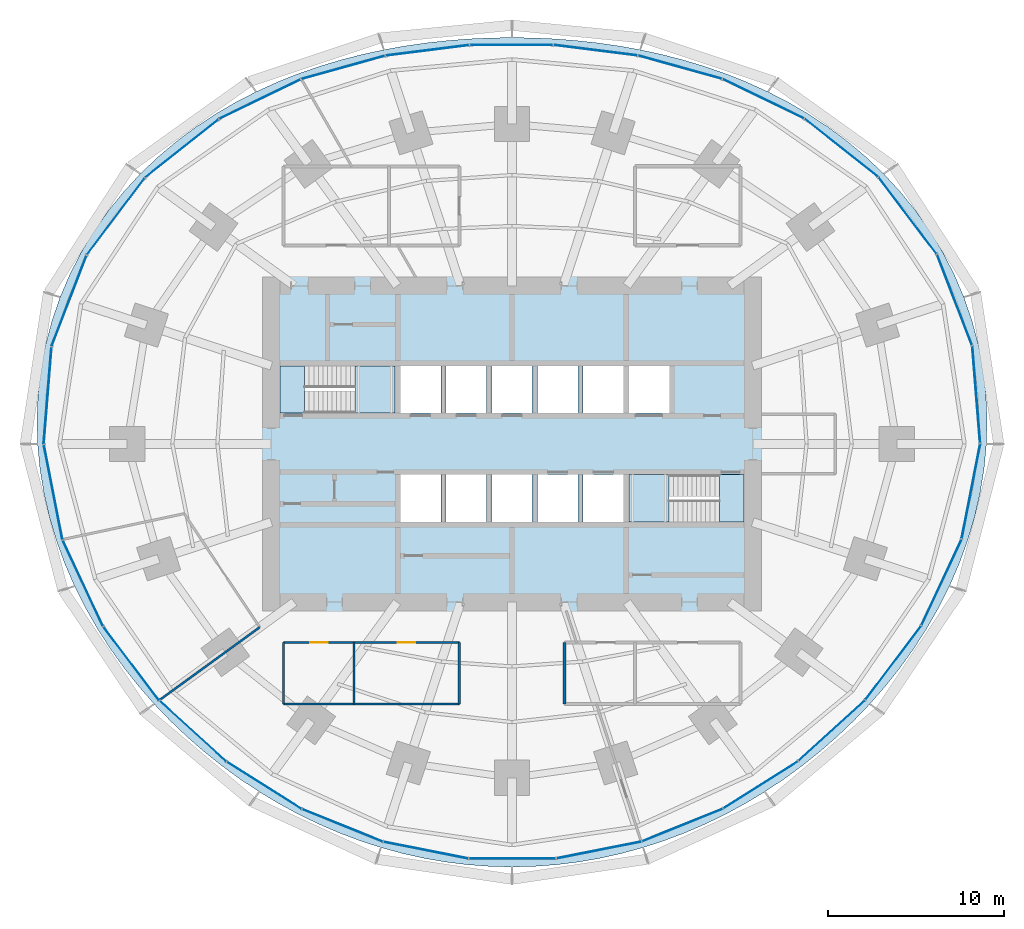
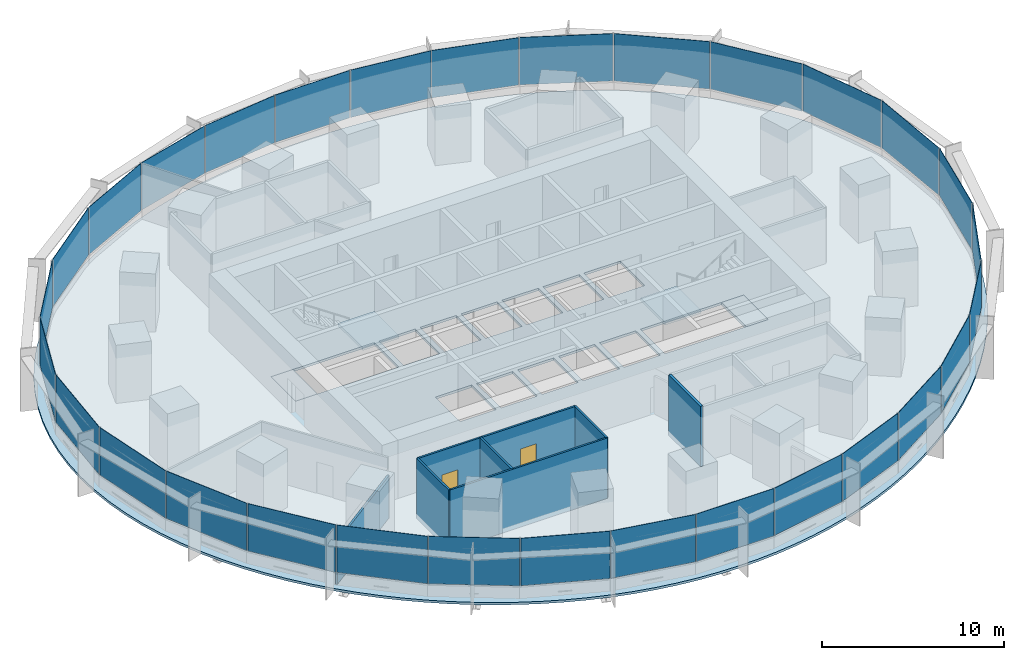
# One storey, part 10 of 15: 30 plates, 7 walls, 5 slabs, 2 doors, 2 openings, 8 elements without a shape of their own.
"""IFC4 building model written with IfcOpenShell, lengths in metres."""

from ifc_helpers import new_model, si_unit, direction, frame, frame_2d, origin, origin_2d, place, context, subcontext, project, spatial, polyline, rectangle, outline, extrude, material, layer, layer_set, type_object, element, fill, aggregate, save


model = new_model("IFC4")

# Units and contexts
model_context = context("Model", 3, precision=1e-05, world=origin(), true_north=direction((0.0, 1.0)))
body_context = subcontext(model_context, "Body", "Model", "MODEL_VIEW")
ifc_project = project(units=[si_unit("LENGTHUNIT", "METRE"), si_unit("AREAUNIT", "SQUARE_METRE"), si_unit("VOLUMEUNIT", "CUBIC_METRE"), si_unit("PLANEANGLEUNIT", "RADIAN"), si_unit("MASSUNIT", "GRAM", prefix="KILO")], contexts=[model_context])

# Site, building, storey
site_placement = place(None, origin())
site = spatial("IfcSite", under=ifc_project, at=site_placement, CompositionType="ELEMENT")
building_placement = place(site_placement, origin())
building = spatial("IfcBuilding", under=site, at=building_placement, Name="Marramba Exchange Tower", CompositionType="ELEMENT")
storey_placement = place(building_placement, frame((0.0, 0.0, 28.0)))
storey = spatial("IfcBuildingStorey", under=building, at=storey_placement, Name="L06", CompositionType="ELEMENT", Elevation=28.0)

# Slab
ifc_material_1 = material(Name="Concrete N40", Category="concrete")
ifc_layer_1 = layer(ifc_material_1, 0.159912109375)
ifc_layer_set_1 = layer_set([ifc_layer_1], Name="Composite floor slab 160")
slab_type_1 = type_object("IfcSlabType", Name="Composite floor slab 160", PredefinedType="FLOOR", material=ifc_layer_set_1)
slab_1_placement = place(storey_placement, frame((0.0, 0.0, -0.159912109375)))
element("IfcSlab", 1, at=slab_1_placement, inside=storey, type_object=slab_type_1, Name="Floor slab L06", PredefinedType="FLOOR", context=body_context, shape_type="SweptSolid", body=[
    extrude(outline(polyline([(27.0, 0.0), (27.035888671875, 1.4169921875), (26.97265625, 2.8349609375), (26.80859375, 4.24609375), (26.5439453125, 5.64208984375), (26.179443359375, 7.0146484375), (25.717529296875, 8.356201171875), (25.16162109375, 9.65869140625), (24.516357421875, 10.915283203125), (23.786865234375, 12.1201171875), (22.9794921875, 13.267333984375), (22.10107421875, 14.3525390625), (21.158447265625, 15.37255859375), (20.159423828125, 16.32470703125), (19.11083984375, 17.20751953125), (18.020263671875, 18.020263671875), (16.89453125, 18.763427734375), (15.740478515625, 19.437744140625), (14.563720703125, 20.04541015625), (13.3701171875, 20.588134765625), (12.164306640625, 21.069091796875), (10.9501953125, 21.4912109375), (9.7314453125, 21.857421875), (8.5107421875, 22.1708984375), (7.289794921875, 22.435302734375), (6.06982421875, 22.6533203125), (4.85205078125, 22.827392578125), (3.636474609375, 22.96044921875), (2.423095703125, 23.053955078125), (1.211181640625, 23.109619140625), (0.0, 23.1279296875), (-1.211181640625, 23.109619140625), (-2.423095703125, 23.053955078125), (-3.636474609375, 22.96044921875), (-4.85205078125, 22.827392578125), (-6.06982421875, 22.6533203125), (-7.289794921875, 22.435302734375), (-8.5107421875, 22.1708984375), (-9.7314453125, 21.857421875), (-10.9501953125, 21.4912109375), (-12.164306640625, 21.069091796875), (-13.3701171875, 20.588134765625), (-14.563720703125, 20.04541015625), (-15.740478515625, 19.437744140625), (-16.89453125, 18.763427734375), (-18.020263671875, 18.020263671875), (-19.11083984375, 17.20751953125), (-20.159423828125, 16.32470703125), (-21.158447265625, 15.37255859375), (-22.10107421875, 14.3525390625), (-22.9794921875, 13.267333984375), (-23.786865234375, 12.1201171875), (-24.516357421875, 10.915283203125), (-25.16162109375, 9.65869140625), (-25.717529296875, 8.356201171875), (-26.179443359375, 7.0146484375), (-26.5439453125, 5.64208984375), (-26.80859375, 4.24609375), (-26.97265625, 2.8349609375), (-27.035888671875, 1.4169921875), (-27.0, 0.0), (-26.8671875, -1.407958984375), (-26.64111328125, -2.800048828125), (-26.326171875, -4.169677734375), (-25.927001953125, -5.510986328125), (-25.44921875, -6.819091796875), (-24.8984375, -8.090087890625), (-24.280517578125, -9.320556640625), (-23.60107421875, -10.5078125), (-22.865234375, -11.650390625), (-22.078369140625, -12.7470703125), (-21.244873046875, -13.796630859375), (-20.36865234375, -14.798583984375), (-19.453369140625, -15.753173828125), (-18.502197265625, -16.659423828125), (-17.517578125, -17.517578125), (-16.501953125, -18.327392578125), (-15.457275390625, -19.088134765625), (-14.385009765625, -19.799072265625), (-13.286865234375, -20.459716796875), (-12.164306640625, -21.069091796875), (-11.01904296875, -21.6259765625), (-9.8525390625, -22.129150390625), (-8.66650390625, -22.577392578125), (-7.463134765625, -22.968994140625), (-6.244140625, -23.30322265625), (-5.01171875, -23.578369140625), (-3.7685546875, -23.793701171875), (-2.51708984375, -23.947998046875), (-1.260009765625, -24.041015625), (0.0, -24.072021484375), (1.260009765625, -24.041015625), (2.51708984375, -23.947998046875), (3.7685546875, -23.793701171875), (5.01171875, -23.578369140625), (6.244140625, -23.30322265625), (7.463134765625, -22.968994140625), (8.66650390625, -22.577392578125), (9.8525390625, -22.129150390625), (11.01904296875, -21.6259765625), (12.164306640625, -21.069091796875), (13.286865234375, -20.459716796875), (14.385009765625, -19.799072265625), (15.457275390625, -19.088134765625), (16.501953125, -18.327392578125), (17.517578125, -17.517578125), (18.502197265625, -16.659423828125), (19.453369140625, -15.753173828125), (20.36865234375, -14.798583984375), (21.244873046875, -13.796630859375), (22.078369140625, -12.7470703125), (22.865234375, -11.650390625), (23.60107421875, -10.5078125), (24.280517578125, -9.320556640625), (24.8984375, -8.090087890625), (25.44921875, -6.819091796875), (25.927001953125, -5.510986328125), (26.326171875, -4.169677734375), (26.64111328125, -2.800048828125), (26.8671875, -1.407958984375), (27.0, 0.0)]), holes=[polyline([(-6.35009765625, 1.75), (-4.050048828125, 1.75), (-4.050048828125, 4.449951171875), (-6.35009765625, 4.449951171875), (-6.35009765625, 1.75)]), polyline([(-3.75, 1.75), (-1.449951171875, 1.75), (-1.449951171875, 4.449951171875), (-3.75, 4.449951171875), (-3.75, 1.75)]), polyline([(-1.14990234375, 1.75), (1.14990234375, 1.75), (1.14990234375, 4.449951171875), (-1.14990234375, 4.449951171875), (-1.14990234375, 1.75)]), polyline([(1.449951171875, 1.75), (3.75, 1.75), (3.75, 4.449951171875), (1.449951171875, 4.449951171875), (1.449951171875, 1.75)]), polyline([(4.050048828125, 1.75), (6.35009765625, 1.75), (6.35009765625, 4.449951171875), (4.050048828125, 4.449951171875), (4.050048828125, 1.75)]), polyline([(-6.35009765625, -4.449951171875), (-4.050048828125, -4.449951171875), (-4.050048828125, -1.75), (-6.35009765625, -1.75), (-6.35009765625, -4.449951171875)]), polyline([(-3.75, -4.449951171875), (-1.449951171875, -4.449951171875), (-1.449951171875, -1.75), (-3.75, -1.75), (-3.75, -4.449951171875)]), polyline([(-1.14990234375, -4.449951171875), (1.14990234375, -4.449951171875), (1.14990234375, -1.75), (-1.14990234375, -1.75), (-1.14990234375, -4.449951171875)]), polyline([(1.449951171875, -4.449951171875), (3.75, -4.449951171875), (3.75, -1.75), (1.449951171875, -1.75), (1.449951171875, -4.449951171875)]), polyline([(4.050048828125, -4.449951171875), (6.35009765625, -4.449951171875), (6.35009765625, -1.75), (4.050048828125, -1.75), (4.050048828125, -4.449951171875)]), polyline([(6.64990234375, 1.75), (8.949951171875, 1.75), (8.949951171875, 4.449951171875), (6.64990234375, 4.449951171875), (6.64990234375, 1.75)]), polyline([(-13.199951171875, 1.75), (-6.64990234375, 1.75), (-6.64990234375, 4.449951171875), (-13.199951171875, 4.449951171875), (-13.199951171875, 1.75)]), polyline([(6.64990234375, -4.449951171875), (13.199951171875, -4.449951171875), (13.199951171875, -1.75), (6.64990234375, -1.75), (6.64990234375, -4.449951171875)])]), origin(), (0.0, 0.0, 1.0), 0.159912109375),
])

# Stair, slabs
ifc_material_2 = material(Name="Concrete N40 (40 MPa)", Category="concrete")
stair_type_1 = type_object("IfcStairType", Name="Exit stair ST1 4200 x 1250", PredefinedType="HALF_TURN_STAIR", material=ifc_material_2)
stair_1_placement = place(storey_placement, origin())
stair_1 = element("IfcStair", 2, at=stair_1_placement, inside=storey, type_object=stair_type_1, Name="Exit stair ST1 L06", PredefinedType="HALF_TURN_STAIR")
ifc_layer_2 = layer(ifc_material_2, 0.199951171875)
ifc_layer_set_2 = layer_set([ifc_layer_2], Name="Stair landing 200")
slab_type_2 = type_object("IfcSlabType", Name="Stair landing 200", PredefinedType="LANDING", material=ifc_layer_set_2)
slab_2_placement = place(storey_placement, frame((0.0, 0.0, -0.199951171875)))
slab_2 = element("IfcSlab", 3, at=slab_2_placement, type_object=slab_type_2, Name="ST1 landing 1", PredefinedType="LANDING", context=body_context, shape_type="SweptSolid", body=[
    extrude(outline(polyline([(-13.199951171875, 1.75), (-11.800048828125, 1.75), (-11.800048828125, 4.449951171875), (-13.199951171875, 4.449951171875), (-13.199951171875, 1.75)])), origin(), (0.0, 0.0, 1.0), 0.199951171875),
])
slab_3_placement = place(storey_placement, frame((0.0, 0.0, 1.89990234375)))
slab_3 = element("IfcSlab", 4, at=slab_3_placement, type_object=slab_type_2, Name="ST1 landing 2", PredefinedType="LANDING", context=body_context, shape_type="SweptSolid", body=[
    extrude(outline(polyline([(-8.93994140625, 1.75), (-6.64990234375, 1.75), (-6.64990234375, 4.449951171875), (-8.93994140625, 4.449951171875), (-8.93994140625, 1.75)])), origin(), (0.0, 0.0, 1.0), 0.2001953125),
])
aggregate(stair_1, [slab_2, slab_3])

stair_type_2 = type_object("IfcStairType", Name="Exit stair ST2 4200 x 1250", PredefinedType="HALF_TURN_STAIR", material=ifc_material_2)
stair_2_placement = place(storey_placement, origin())
stair_2 = element("IfcStair", 5, at=stair_2_placement, inside=storey, type_object=stair_type_2, Name="Exit stair ST2 L06", PredefinedType="HALF_TURN_STAIR")
slab_4_placement = place(storey_placement, frame((0.0, 0.0, -0.199951171875)))
slab_4 = element("IfcSlab", 6, at=slab_4_placement, type_object=slab_type_2, Name="ST2 landing 1", PredefinedType="LANDING", context=body_context, shape_type="SweptSolid", body=[
    extrude(outline(polyline([(11.800048828125, -4.449951171875), (13.199951171875, -4.449951171875), (13.199951171875, -1.75), (11.800048828125, -1.75), (11.800048828125, -4.449951171875)])), origin(), (0.0, 0.0, 1.0), 0.199951171875),
])
slab_5_placement = place(storey_placement, frame((0.0, 0.0, 1.89990234375)))
slab_5 = element("IfcSlab", 7, at=slab_5_placement, type_object=slab_type_2, Name="ST2 landing 2", PredefinedType="LANDING", context=body_context, shape_type="SweptSolid", body=[
    extrude(outline(polyline([(6.64990234375, -4.449951171875), (8.93994140625, -4.449951171875), (8.93994140625, -1.75), (6.64990234375, -1.75), (6.64990234375, -4.449951171875)])), origin(), (0.0, 0.0, 1.0), 0.2001953125),
])
aggregate(stair_2, [slab_4, slab_5])

# Curtain wall, plates
ifc_material_3 = material(Name="Aluminium framing, bronze anodised", Category="aluminium")
curtain_wall_type = type_object("IfcCurtainWallType", Name="Trading floor ribbon curtain wall", PredefinedType="USERDEFINED", material=ifc_material_3)
curtain_wall_1_placement = place(storey_placement, origin())
curtain_wall_1 = element("IfcCurtainWall", 8, at=curtain_wall_1_placement, inside=storey, type_object=curtain_wall_type, Name="Curtain wall CW3 L06 F01-F05", ObjectType="RIBBON CURTAIN WALL", PredefinedType="USERDEFINED")
ifc_material_4 = material(Name="Double glazed unit 10 + 12 + 8.76, bronze tinted", Category="glass")
ifc_layer_3 = layer(ifc_material_4, 0.03076171875)
ifc_layer_set_3 = layer_set([ifc_layer_3], Name="Trading floor ribbon curtain wall panel")
plate_type = type_object("IfcPlateType", Name="Trading floor ribbon curtain wall panel", PredefinedType="CURTAIN_PANEL", material=ifc_layer_set_3)
plate_1_placement = place(storey_placement, frame((26.42333984375, 2.814453125, 0.85986328125), z_axis=(0.0, 0.0, 1.0), x_axis=(-0.080275225953, 0.996772736434, 0.0)))
plate_1 = element("IfcPlate", 9, at=plate_1_placement, type_object=plate_type, Name="CW3 vision panel", PredefinedType="CURTAIN_PANEL", context=body_context, shape_type="SweptSolid", body=[
    extrude(rectangle(XDim=5.52734375, YDim=0.03076171875, at=origin_2d()), origin(), (0.0, 0.0, 1.0), 3.179931640625),
])
plate_2_placement = place(storey_placement, frame((25.188232421875, 8.19921875, 0.85986328125), z_axis=(0.0, 0.0, 1.0), x_axis=(-0.359525510698, 0.933135256626, 0.0)))
plate_2 = element("IfcPlate", 10, at=plate_2_placement, type_object=plate_type, Name="CW3 vision panel", PredefinedType="CURTAIN_PANEL", context=body_context, shape_type="SweptSolid", body=[
    extrude(rectangle(XDim=5.5166015625, YDim=0.03076171875, at=origin_2d()), origin(), (0.0, 0.0, 1.0), 3.179931640625),
])
plate_3_placement = place(storey_placement, frame((22.517822265625, 12.993896484375, 0.85986328125), z_axis=(0.0, 0.0, 1.0), x_axis=(-0.602989765036, 0.797748922445, 0.0)))
plate_3 = element("IfcPlate", 11, at=plate_3_placement, type_object=plate_type, Name="CW3 vision panel", PredefinedType="CURTAIN_PANEL", context=body_context, shape_type="SweptSolid", body=[
    extrude(rectangle(XDim=5.44775390625, YDim=0.03076171875, at=origin_2d()), origin(), (0.0, 0.0, 1.0), 3.179931640625),
])
plate_4_placement = place(storey_placement, frame((18.744384765625, 16.853759765625, 0.85986328125), z_axis=(0.0, 0.0, 1.0), x_axis=(-0.784087949432, 0.620649730166, 0.0)))
plate_4 = element("IfcPlate", 12, at=plate_4_placement, type_object=plate_type, Name="CW3 vision panel", PredefinedType="CURTAIN_PANEL", context=body_context, shape_type="SweptSolid", body=[
    extrude(rectangle(XDim=5.315673828125, YDim=0.03076171875, at=origin_2d()), origin(), (0.0, 0.0, 1.0), 3.179931640625),
])
plate_5_placement = place(storey_placement, frame((14.2978515625, 19.647705078125, 0.85986328125), z_axis=(0.0, 0.0, 1.0), x_axis=(-0.899963433508, 0.43596538664, 0.0)))
plate_5 = element("IfcPlate", 13, at=plate_5_placement, type_object=plate_type, Name="CW3 vision panel", PredefinedType="CURTAIN_PANEL", context=body_context, shape_type="SweptSolid", body=[
    extrude(rectangle(XDim=5.13037109375, YDim=0.03076171875, at=origin_2d()), origin(), (0.0, 0.0, 1.0), 3.179931640625),
])
aggregate(curtain_wall_1, [plate_1, plate_2, plate_3, plate_4, plate_5])

curtain_wall_2_placement = place(storey_placement, origin())
curtain_wall_2 = element("IfcCurtainWall", 14, at=curtain_wall_2_placement, inside=storey, type_object=curtain_wall_type, Name="Curtain wall CW3 L06 F06-F10", ObjectType="RIBBON CURTAIN WALL", PredefinedType="USERDEFINED")
plate_6_placement = place(storey_placement, frame((9.556396484375, 21.4423828125, 0.85986328125), z_axis=(0.0, 0.0, 1.0), x_axis=(-0.963472096649, 0.267808735815, 0.0)))
plate_6 = element("IfcPlate", 15, at=plate_6_placement, type_object=plate_type, Name="CW3 vision panel", PredefinedType="CURTAIN_PANEL", context=body_context, shape_type="SweptSolid", body=[
    extrude(rectangle(XDim=4.929931640625, YDim=0.03076171875, at=origin_2d()), origin(), (0.0, 0.0, 1.0), 3.179931640625),
])
plate_7_placement = place(storey_placement, frame((4.754150390625, 22.407958984375, 0.85986328125), z_axis=(0.0, 0.0, 1.0), x_axis=(-0.992172768738, 0.124872723099, 0.0)))
plate_7 = element("IfcPlate", 16, at=plate_7_placement, type_object=plate_type, Name="CW3 vision panel", PredefinedType="CURTAIN_PANEL", context=body_context, shape_type="SweptSolid", body=[
    extrude(rectangle(XDim=4.77294921875, YDim=0.03076171875, at=origin_2d()), origin(), (0.0, 0.0, 1.0), 3.179931640625),
])
plate_8_placement = place(storey_placement, frame((-0.030029296875, 22.7060546875, 0.85986328125), z_axis=(0.0, 0.0, 1.0), x_axis=(-1.0, 0.0, 0.0)))
plate_8 = element("IfcPlate", 17, at=plate_8_placement, type_object=plate_type, Name="CW3 vision panel", PredefinedType="CURTAIN_PANEL", context=body_context, shape_type="SweptSolid", body=[
    extrude(rectangle(XDim=4.712890625, YDim=0.03076171875, at=origin_2d()), origin(), (0.0, 0.0, 1.0), 3.179931640625),
])
plate_9_placement = place(storey_placement, frame((-4.813720703125, 22.400390625, 0.85986328125), z_axis=(0.0, 0.0, 1.0), x_axis=(-0.992172768738, -0.124872723099, 0.0)))
plate_9 = element("IfcPlate", 18, at=plate_9_placement, type_object=plate_type, Name="CW3 vision panel", PredefinedType="CURTAIN_PANEL", context=body_context, shape_type="SweptSolid", body=[
    extrude(rectangle(XDim=4.77294921875, YDim=0.03076171875, at=origin_2d()), origin(), (0.0, 0.0, 1.0), 3.179931640625),
])
plate_10_placement = place(storey_placement, frame((-9.6142578125, 21.42626953125, 0.85986328125), z_axis=(0.0, 0.0, 1.0), x_axis=(-0.963472096649, -0.267808735815, 0.0)))
plate_10 = element("IfcPlate", 19, at=plate_10_placement, type_object=plate_type, Name="CW3 vision panel", PredefinedType="CURTAIN_PANEL", context=body_context, shape_type="SweptSolid", body=[
    extrude(rectangle(XDim=4.929931640625, YDim=0.03076171875, at=origin_2d()), origin(), (0.0, 0.0, 1.0), 3.179931640625),
])
aggregate(curtain_wall_2, [plate_6, plate_7, plate_8, plate_9, plate_10])

curtain_wall_3_placement = place(storey_placement, origin())
curtain_wall_3 = element("IfcCurtainWall", 20, at=curtain_wall_3_placement, inside=storey, type_object=curtain_wall_type, Name="Curtain wall CW3 L06 F11-F15", ObjectType="RIBBON CURTAIN WALL", PredefinedType="USERDEFINED")
plate_11_placement = place(storey_placement, frame((-14.351806640625, 19.62158203125, 0.85986328125), z_axis=(0.0, 0.0, 1.0), x_axis=(-0.899963433508, -0.43596538664, 0.0)))
plate_11 = element("IfcPlate", 21, at=plate_11_placement, type_object=plate_type, Name="CW3 vision panel", PredefinedType="CURTAIN_PANEL", context=body_context, shape_type="SweptSolid", body=[
    extrude(rectangle(XDim=5.13037109375, YDim=0.03076171875, at=origin_2d()), origin(), (0.0, 0.0, 1.0), 3.179931640625),
])
plate_12_placement = place(storey_placement, frame((-18.79150390625, 16.81640625, 0.85986328125), z_axis=(0.0, 0.0, 1.0), x_axis=(-0.784087949432, -0.620649730166, 0.0)))
plate_12 = element("IfcPlate", 22, at=plate_12_placement, type_object=plate_type, Name="CW3 vision panel", PredefinedType="CURTAIN_PANEL", context=body_context, shape_type="SweptSolid", body=[
    extrude(rectangle(XDim=5.315673828125, YDim=0.03076171875, at=origin_2d()), origin(), (0.0, 0.0, 1.0), 3.179931640625),
])
plate_13_placement = place(storey_placement, frame((-22.553955078125, 12.946044921875, 0.85986328125), z_axis=(0.0, 0.0, 1.0), x_axis=(-0.602989765036, -0.797748922445, 0.0)))
plate_13 = element("IfcPlate", 23, at=plate_13_placement, type_object=plate_type, Name="CW3 vision panel", PredefinedType="CURTAIN_PANEL", context=body_context, shape_type="SweptSolid", body=[
    extrude(rectangle(XDim=5.44775390625, YDim=0.03076171875, at=origin_2d()), origin(), (0.0, 0.0, 1.0), 3.179931640625),
])
plate_14_placement = place(storey_placement, frame((-25.209716796875, 8.14306640625, 0.85986328125), z_axis=(0.0, 0.0, 1.0), x_axis=(-0.359525510698, -0.933135256626, 0.0)))
plate_14 = element("IfcPlate", 24, at=plate_14_placement, type_object=plate_type, Name="CW3 vision panel", PredefinedType="CURTAIN_PANEL", context=body_context, shape_type="SweptSolid", body=[
    extrude(rectangle(XDim=5.5166015625, YDim=0.03076171875, at=origin_2d()), origin(), (0.0, 0.0, 1.0), 3.179931640625),
])
plate_15_placement = place(storey_placement, frame((-26.42822265625, 2.754638671875, 0.85986328125), z_axis=(0.0, 0.0, 1.0), x_axis=(-0.080275225953, -0.996772736434, 0.0)))
plate_15 = element("IfcPlate", 25, at=plate_15_placement, type_object=plate_type, Name="CW3 vision panel", PredefinedType="CURTAIN_PANEL", context=body_context, shape_type="SweptSolid", body=[
    extrude(rectangle(XDim=5.52734375, YDim=0.03076171875, at=origin_2d()), origin(), (0.0, 0.0, 1.0), 3.179931640625),
])
aggregate(curtain_wall_3, [plate_11, plate_12, plate_13, plate_14, plate_15])

curtain_wall_4_placement = place(storey_placement, origin())
curtain_wall_4 = element("IfcCurtainWall", 26, at=curtain_wall_4_placement, inside=storey, type_object=curtain_wall_type, Name="Curtain wall CW3 L06 F16-F20", ObjectType="RIBBON CURTAIN WALL", PredefinedType="USERDEFINED")
plate_16_placement = place(storey_placement, frame((-26.111572265625, -2.74853515625, 0.85986328125), z_axis=(0.0, 0.0, 1.0), x_axis=(0.1922485756, -0.981346261612, 0.0)))
plate_16 = element("IfcPlate", 27, at=plate_16_placement, type_object=plate_type, Name="CW3 vision panel", PredefinedType="CURTAIN_PANEL", context=body_context, shape_type="SweptSolid", body=[
    extrude(rectangle(XDim=5.4814453125, YDim=0.03076171875, at=origin_2d()), origin(), (0.0, 0.0, 1.0), 3.179931640625),
])
plate_17_placement = place(storey_placement, frame((-24.420166015625, -7.928955078125, 0.85986328125), z_axis=(0.0, 0.0, 1.0), x_axis=(0.423477206492, -0.905906758768, 0.0)))
plate_17 = element("IfcPlate", 28, at=plate_17_placement, type_object=plate_type, Name="CW3 vision panel", PredefinedType="CURTAIN_PANEL", context=body_context, shape_type="SweptSolid", body=[
    extrude(rectangle(XDim=5.379150390625, YDim=0.03076171875, at=origin_2d()), origin(), (0.0, 0.0, 1.0), 3.179931640625),
])
plate_18_placement = place(storey_placement, frame((-21.665283203125, -12.503173828125, 0.85986328125), z_axis=(0.0, 0.0, 1.0), x_axis=(0.603040473588, -0.797710591138, 0.0)))
plate_18 = element("IfcPlate", 29, at=plate_18_placement, type_object=plate_type, Name="CW3 vision panel", PredefinedType="CURTAIN_PANEL", context=body_context, shape_type="SweptSolid", body=[
    extrude(rectangle(XDim=5.239501953125, YDim=0.03076171875, at=origin_2d()), origin(), (0.0, 0.0, 1.0), 3.179931640625),
])
plate_19_placement = place(storey_placement, frame((-18.154541015625, -16.350341796875, 0.85986328125), z_axis=(0.0, 0.0, 1.0), x_axis=(0.739589581463, -0.673058133441, 0.0)))
plate_19 = element("IfcPlate", 30, at=plate_19_placement, type_object=plate_type, Name="CW3 vision panel", PredefinedType="CURTAIN_PANEL", context=body_context, shape_type="SweptSolid", body=[
    extrude(rectangle(XDim=5.101806640625, YDim=0.03076171875, at=origin_2d()), origin(), (0.0, 0.0, 1.0), 3.179931640625),
])
plate_20_placement = place(storey_placement, frame((-14.103271484375, -19.4326171875, 0.85986328125), z_axis=(0.0, 0.0, 1.0), x_axis=(0.845790826298, -0.533514646612, 0.0)))
plate_20 = element("IfcPlate", 31, at=plate_20_placement, type_object=plate_type, Name="CW3 vision panel", PredefinedType="CURTAIN_PANEL", context=body_context, shape_type="SweptSolid", body=[
    extrude(rectangle(XDim=4.99853515625, YDim=0.03076171875, at=origin_2d()), origin(), (0.0, 0.0, 1.0), 3.179931640625),
])
aggregate(curtain_wall_4, [plate_16, plate_17, plate_18, plate_19, plate_20])

curtain_wall_5_placement = place(storey_placement, origin())
curtain_wall_5 = element("IfcCurtainWall", 32, at=curtain_wall_5_placement, inside=storey, type_object=curtain_wall_type, Name="Curtain wall CW3 L06 F21-F25", ObjectType="RIBBON CURTAIN WALL", PredefinedType="USERDEFINED")
plate_21_placement = place(storey_placement, frame((-9.644287109375, -21.71240234375, 0.85986328125), z_axis=(0.0, 0.0, 1.0), x_axis=(0.927340673283, -0.374218219325, 0.0)))
plate_21 = element("IfcPlate", 33, at=plate_21_placement, type_object=plate_type, Name="CW3 vision panel", PredefinedType="CURTAIN_PANEL", context=body_context, shape_type="SweptSolid", body=[
    extrude(rectangle(XDim=4.9375, YDim=0.03076171875, at=origin_2d()), origin(), (0.0, 0.0, 1.0), 3.179931640625),
])
plate_22_placement = place(storey_placement, frame((-4.88818359375, -23.1240234375, 0.85986328125), z_axis=(0.0, 0.0, 1.0), x_axis=(0.98100920064, -0.193961202977, 0.0)))
plate_22 = element("IfcPlate", 34, at=plate_22_placement, type_object=plate_type, Name="CW3 vision panel", PredefinedType="CURTAIN_PANEL", context=body_context, shape_type="SweptSolid", body=[
    extrude(rectangle(XDim=4.908935546875, YDim=0.03076171875, at=origin_2d()), origin(), (0.0, 0.0, 1.0), 3.179931640625),
])
plate_23_placement = place(storey_placement, frame((0.030029296875, -23.599853515625, 0.85986328125), z_axis=(0.0, 0.0, 1.0), x_axis=(1.0, 0.0, 0.0)))
plate_23 = element("IfcPlate", 35, at=plate_23_placement, type_object=plate_type, Name="CW3 vision panel", PredefinedType="CURTAIN_PANEL", context=body_context, shape_type="SweptSolid", body=[
    extrude(rectangle(XDim=4.90087890625, YDim=0.03076171875, at=origin_2d()), origin(), (0.0, 0.0, 1.0), 3.179931640625),
])
plate_24_placement = place(storey_placement, frame((4.947021484375, -23.1123046875, 0.85986328125), z_axis=(0.0, 0.0, 1.0), x_axis=(0.98100920064, 0.193961202977, 0.0)))
plate_24 = element("IfcPlate", 36, at=plate_24_placement, type_object=plate_type, Name="CW3 vision panel", PredefinedType="CURTAIN_PANEL", context=body_context, shape_type="SweptSolid", body=[
    extrude(rectangle(XDim=4.908935546875, YDim=0.03076171875, at=origin_2d()), origin(), (0.0, 0.0, 1.0), 3.179931640625),
])
plate_25_placement = place(storey_placement, frame((9.699951171875, -21.68994140625, 0.85986328125), z_axis=(0.0, 0.0, 1.0), x_axis=(0.927340673283, 0.374218219325, 0.0)))
plate_25 = element("IfcPlate", 37, at=plate_25_placement, type_object=plate_type, Name="CW3 vision panel", PredefinedType="CURTAIN_PANEL", context=body_context, shape_type="SweptSolid", body=[
    extrude(rectangle(XDim=4.9375, YDim=0.03076171875, at=origin_2d()), origin(), (0.0, 0.0, 1.0), 3.179931640625),
])
aggregate(curtain_wall_5, [plate_21, plate_22, plate_23, plate_24, plate_25])

curtain_wall_6_placement = place(storey_placement, origin())
curtain_wall_6 = element("IfcCurtainWall", 38, at=curtain_wall_6_placement, inside=storey, type_object=curtain_wall_type, Name="Curtain wall CW3 L06 F26-F30", ObjectType="RIBBON CURTAIN WALL", PredefinedType="USERDEFINED")
plate_26_placement = place(storey_placement, frame((14.15380859375, -19.400634765625, 0.85986328125), z_axis=(0.0, 0.0, 1.0), x_axis=(0.845790826298, 0.533514646612, 0.0)))
plate_26 = element("IfcPlate", 39, at=plate_26_placement, type_object=plate_type, Name="CW3 vision panel", PredefinedType="CURTAIN_PANEL", context=body_context, shape_type="SweptSolid", body=[
    extrude(rectangle(XDim=4.99853515625, YDim=0.03076171875, at=origin_2d()), origin(), (0.0, 0.0, 1.0), 3.179931640625),
])
plate_27_placement = place(storey_placement, frame((18.19873046875, -16.309814453125, 0.85986328125), z_axis=(0.0, 0.0, 1.0), x_axis=(0.739589581463, 0.673058133441, 0.0)))
plate_27 = element("IfcPlate", 40, at=plate_27_placement, type_object=plate_type, Name="CW3 vision panel", PredefinedType="CURTAIN_PANEL", context=body_context, shape_type="SweptSolid", body=[
    extrude(rectangle(XDim=5.101806640625, YDim=0.03076171875, at=origin_2d()), origin(), (0.0, 0.0, 1.0), 3.179931640625),
])
plate_28_placement = place(storey_placement, frame((21.701416015625, -12.455322265625, 0.85986328125), z_axis=(0.0, 0.0, 1.0), x_axis=(0.603040473588, 0.797710591138, 0.0)))
plate_28 = element("IfcPlate", 41, at=plate_28_placement, type_object=plate_type, Name="CW3 vision panel", PredefinedType="CURTAIN_PANEL", context=body_context, shape_type="SweptSolid", body=[
    extrude(rectangle(XDim=5.239501953125, YDim=0.03076171875, at=origin_2d()), origin(), (0.0, 0.0, 1.0), 3.179931640625),
])
plate_29_placement = place(storey_placement, frame((24.44580078125, -7.874755859375, 0.85986328125), z_axis=(0.0, 0.0, 1.0), x_axis=(0.423477206492, 0.905906758768, 0.0)))
plate_29 = element("IfcPlate", 42, at=plate_29_placement, type_object=plate_type, Name="CW3 vision panel", PredefinedType="CURTAIN_PANEL", context=body_context, shape_type="SweptSolid", body=[
    extrude(rectangle(XDim=5.379150390625, YDim=0.03076171875, at=origin_2d()), origin(), (0.0, 0.0, 1.0), 3.179931640625),
])
plate_30_placement = place(storey_placement, frame((26.123046875, -2.689697265625, 0.85986328125), z_axis=(0.0, 0.0, 1.0), x_axis=(0.1922485756, 0.981346261612, 0.0)))
plate_30 = element("IfcPlate", 43, at=plate_30_placement, type_object=plate_type, Name="CW3 vision panel", PredefinedType="CURTAIN_PANEL", context=body_context, shape_type="SweptSolid", body=[
    extrude(rectangle(XDim=5.4814453125, YDim=0.03076171875, at=origin_2d()), origin(), (0.0, 0.0, 1.0), 3.179931640625),
])
aggregate(curtain_wall_6, [plate_26, plate_27, plate_28, plate_29, plate_30])

# Walls
ifc_material_5 = material(Name="Plasterboard on staggered double steel studs, acoustic insulation", Category="steel")
ifc_layer_4 = layer(ifc_material_5, 0.169921875)
ifc_layer_set_4 = layer_set([ifc_layer_4], Name="Acoustic partition 170")
wall_type_1 = type_object("IfcWallType", Name="Acoustic partition 170", PredefinedType="PARTITIONING", material=ifc_layer_set_4)
wall_1_placement = place(storey_placement, frame((3.0, -11.300048828125, 0.0), z_axis=(0.0, 0.0, 1.0), x_axis=(0.0, -1.0, 0.0)))
element("IfcWall", 44, at=wall_1_placement, inside=storey, type_object=wall_type_1, Name="Acoustic partition L06 09", PredefinedType="PARTITIONING", context=body_context, shape_type="SweptSolid", body=[
    extrude(rectangle(XDim=3.5, YDim=0.169921875, at=frame_2d((1.75, 0.0))), origin(), (0.0, 0.0, 1.0), 4.0400390625),
])
ifc_material_6 = material(Name="Plasterboard on steel studs", Category="steel")
ifc_layer_5 = layer(ifc_material_6, 0.1201171875)
ifc_layer_set_5 = layer_set([ifc_layer_5], Name="Partition 120")
wall_type_2 = type_object("IfcWallType", Name="Partition 120", PredefinedType="PARTITIONING", material=ifc_layer_set_5)
wall_2_placement = place(storey_placement, frame((-20.020751953125, -14.5458984375, 0.0), z_axis=(0.0, 0.0, 1.0), x_axis=(0.809015012105, 0.587787980643, 0.0)))
element("IfcWall", 45, at=wall_2_placement, inside=storey, type_object=wall_type_2, Name="Partition L06 03", PredefinedType="PARTITIONING", context=body_context, shape_type="SweptSolid", body=[
    extrude(rectangle(XDim=7.0, YDim=0.1201171875, at=frame_2d((3.5, 0.0))), origin(), (0.0, 0.0, 1.0), 2.840087890625),
])
wall_3_placement = place(storey_placement, frame((-13.0, -14.800048828125, 0.0), z_axis=(0.0, 0.0, 1.0), x_axis=(0.0, 1.0, 0.0)))
element("IfcWall", 46, at=wall_3_placement, inside=storey, type_object=wall_type_2, Name="Partition L06 04", PredefinedType="PARTITIONING", context=body_context, shape_type="SweptSolid", body=[
    extrude(rectangle(XDim=3.5, YDim=0.1201171875, at=frame_2d((1.75, 0.0))), origin(), (0.0, 0.0, 1.0), 4.0400390625),
])

# Wall, openings, doors
wall_4_placement = place(storey_placement, frame((-13.0, -11.300048828125, 0.0), z_axis=(0.0, 0.0, 1.0), x_axis=(1.0, 0.0, 0.0)))
wall_4 = element("IfcWall", 47, at=wall_4_placement, inside=storey, type_object=wall_type_2, Name="Partition L06 05", PredefinedType="PARTITIONING", context=body_context, shape_type="SweptSolid", body=[
    extrude(rectangle(XDim=10.0, YDim=0.1201171875, at=frame_2d((5.0, 0.0))), origin(), (0.0, 0.0, 1.0), 4.0400390625),
])
opening_1_placement = place(wall_4_placement, frame((1.52587890625, 0.0, 0.0)))
opening_1 = element("IfcOpeningElement", 48, at=opening_1_placement, cuts=wall_4, Name="Opening D9", PredefinedType="OPENING", context=body_context, shape_type="SweptSolid", body=[
    extrude(rectangle(XDim=1.0, YDim=2.39990234375, at=frame_2d((0.5, 1.199951171875))), frame((0.0, 0.070068359375, 0.0), z_axis=(0.0, -1.0, 0.0), x_axis=(1.0, 0.0, 0.0)), (0.0, 0.0, 1.0), 0.14013671875),
])
opening_2_placement = place(wall_4_placement, frame((6.5, 0.0, 0.0)))
opening_2 = element("IfcOpeningElement", 49, at=opening_2_placement, cuts=wall_4, Name="Opening D9", PredefinedType="OPENING", context=body_context, shape_type="SweptSolid", body=[
    extrude(rectangle(XDim=1.0, YDim=2.39990234375, at=frame_2d((0.5, 1.199951171875))), frame((0.0, 0.070068359375, 0.0), z_axis=(0.0, -1.0, 0.0), x_axis=(1.0, 0.0, 0.0)), (0.0, 0.0, 1.0), 0.14013671875),
])
ifc_material_7 = material(Name="Timber door", Category="wood")
door_type = type_object("IfcDoorType", Name="Room door 1000x2400", OperationType="SINGLE_SWING_LEFT", PredefinedType="DOOR", material=ifc_material_7)
door_1_placement = place(opening_1_placement, frame((1.0, 0.0, 0.0), z_axis=(0.0, 0.0, 1.0), x_axis=(-1.0, 0.0, 0.0)))
door_1 = element("IfcDoor", 50, at=door_1_placement, inside=storey, type_object=door_type, Name="D9 Print Room L06", OperationType="SINGLE_SWING_LEFT", OverallHeight=2.39990234375, OverallWidth=1.0, PredefinedType="DOOR", context=body_context, shape_type="SweptSolid", body=[
    extrude(rectangle(XDim=1.0, YDim=2.39990234375, at=frame_2d((0.5, 1.199951171875))), frame((0.0, 0.025146484375, 0.0), z_axis=(0.0, -1.0, 0.0), x_axis=(1.0, 0.0, 0.0)), (0.0, 0.0, 1.0), 0.050048828125),
])
fill(opening_1, door_1)
door_2_placement = place(opening_2_placement, frame((1.0, 0.0, 0.0), z_axis=(0.0, 0.0, 1.0), x_axis=(-1.0, 0.0, 0.0)))
door_2 = element("IfcDoor", 51, at=door_2_placement, inside=storey, type_object=door_type, Name="D9 Pantry L06", OperationType="SINGLE_SWING_RIGHT", OverallHeight=2.39990234375, OverallWidth=1.0, PredefinedType="DOOR", context=body_context, shape_type="SweptSolid", body=[
    extrude(rectangle(XDim=1.0, YDim=2.39990234375, at=frame_2d((0.5, 1.199951171875))), frame((0.0, 0.025146484375, 0.0), z_axis=(0.0, -1.0, 0.0), x_axis=(1.0, 0.0, 0.0)), (0.0, 0.0, 1.0), 0.050048828125),
])
fill(opening_2, door_2)

# Walls
wall_5_placement = place(storey_placement, frame((-9.0, -11.300048828125, 0.0), z_axis=(0.0, 0.0, 1.0), x_axis=(0.0, -1.0, 0.0)))
element("IfcWall", 52, at=wall_5_placement, inside=storey, type_object=wall_type_2, Name="Partition L06 06", PredefinedType="PARTITIONING", context=body_context, shape_type="SweptSolid", body=[
    extrude(rectangle(XDim=3.5, YDim=0.1201171875, at=frame_2d((1.75, 0.0))), origin(), (0.0, 0.0, 1.0), 4.0400390625),
])
wall_6_placement = place(storey_placement, frame((-3.0, -14.800048828125, 0.0), z_axis=(0.0, 0.0, 1.0), x_axis=(-1.0, 0.0, 0.0)))
element("IfcWall", 53, at=wall_6_placement, inside=storey, type_object=wall_type_2, Name="Partition L06 07", PredefinedType="PARTITIONING", context=body_context, shape_type="SweptSolid", body=[
    extrude(rectangle(XDim=10.0, YDim=0.1201171875, at=frame_2d((5.0, 0.0))), origin(), (0.0, 0.0, 1.0), 4.0400390625),
])
wall_7_placement = place(storey_placement, frame((-3.0, -11.300048828125, 0.0), z_axis=(0.0, 0.0, 1.0), x_axis=(0.0, -1.0, 0.0)))
element("IfcWall", 54, at=wall_7_placement, inside=storey, type_object=wall_type_2, Name="Partition L06 08", PredefinedType="PARTITIONING", context=body_context, shape_type="SweptSolid", body=[
    extrude(rectangle(XDim=3.5, YDim=0.1201171875, at=frame_2d((1.75, 0.0))), origin(), (0.0, 0.0, 1.0), 4.0400390625),
])

save(model, "model.ifc")
